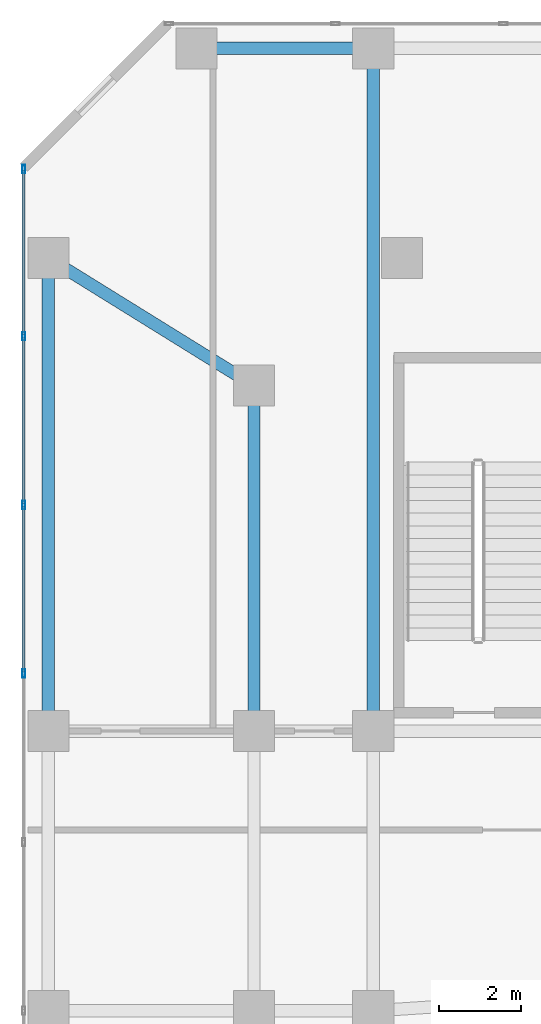
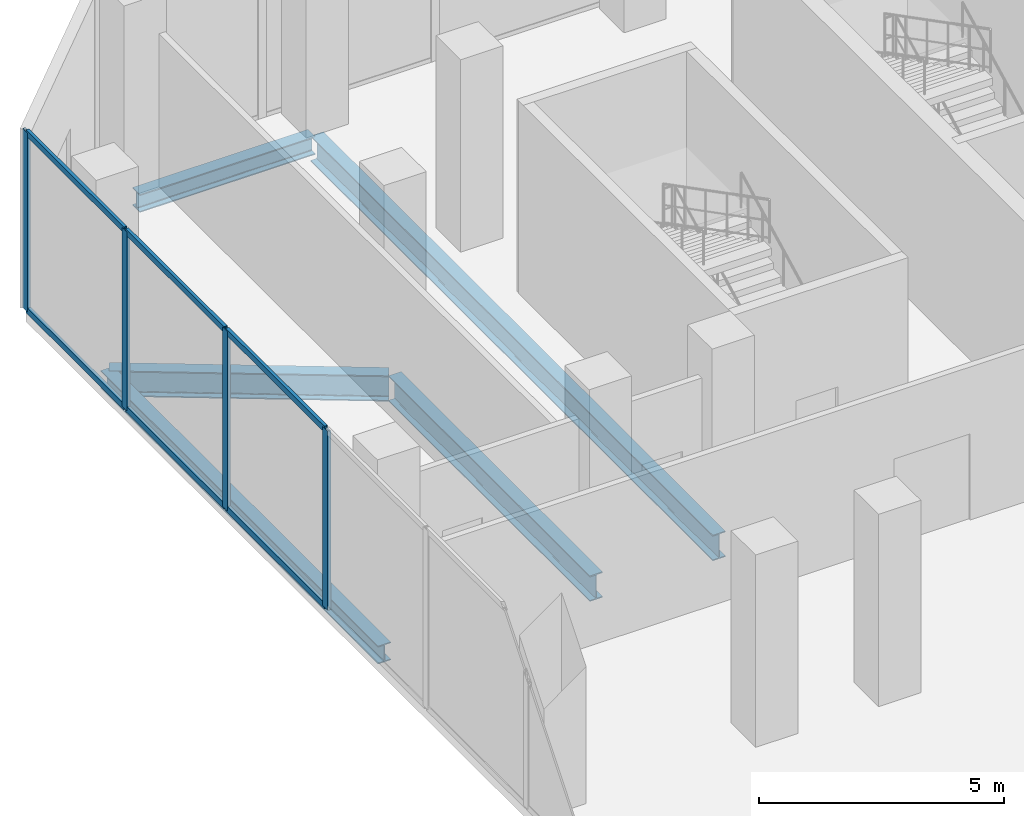
# One storey, part 12 of 24: 10 members, 5 beams, 1 element without a shape of its own.
"""IFC4 building model written with IfcOpenShell, lengths in metres."""

from ifc_helpers import new_model, si_unit, direction, frame, origin, origin_2d, place, context, subcontext, project, spatial, hollow_rectangle, i_section, extrude, material, layer, layer_set, material_profile, profile_set, type_object, element, aggregate, save


model = new_model("IFC4")

# Units and contexts
model_context = context("Model", 3, precision=1e-05, world=origin(), true_north=direction((0.0, 1.0)))
body_context = subcontext(model_context, "Body", "Model", "MODEL_VIEW")
ifc_project = project(units=[si_unit("LENGTHUNIT", "METRE"), si_unit("AREAUNIT", "SQUARE_METRE"), si_unit("VOLUMEUNIT", "CUBIC_METRE"), si_unit("PLANEANGLEUNIT", "RADIAN"), si_unit("MASSUNIT", "GRAM", prefix="KILO")], contexts=[model_context])

# Site, building, storey
site_placement = place(None, origin())
site = spatial("IfcSite", under=ifc_project, at=site_placement, CompositionType="ELEMENT")
building_placement = place(site_placement, origin())
building = spatial("IfcBuilding", under=site, at=building_placement, Name="Catumbela Crestline Tower", CompositionType="ELEMENT")
storey_placement = place(building_placement, frame((0.0, 0.0, 11.1)))
storey = spatial("IfcBuildingStorey", under=building, at=storey_placement, Name="L02", CompositionType="ELEMENT", Elevation=11.1)

# Beams
ifc_material_1 = material(Name="Structural steel S355J2", Category="steel")
ifc_material_profile_1 = material_profile(ifc_material_1, i_section(OverallWidth=0.3, OverallDepth=0.64, WebThickness=0.0135, FlangeThickness=0.026, FilletRadius=0.027, at=origin_2d()), Name="HEA 650")
ifc_profile_set_1 = profile_set([ifc_material_profile_1], Name="Structural steel S355J2")
beam_type_1 = type_object("IfcBeamType", Name="BG-HEA650", PredefinedType="BEAM", material=ifc_profile_set_1)
beam_1_placement = place(storey_placement, frame((0.668, 42.2578, -0.64), z_axis=(0.849908952007, -0.526929571479, 0.0), x_axis=(0.526929571479, 0.849908952007, 0.0)))
element("IfcBeam", 1, at=beam_1_placement, inside=storey, type_object=beam_type_1, Name="L02 Beam BM-L02-N11", PredefinedType="BEAM", context=body_context, shape_type="SweptSolid", body=[
    extrude(i_section(OverallWidth=0.3, OverallDepth=0.64, WebThickness=0.0135, FlangeThickness=0.026, FilletRadius=0.027, at=origin_2d()), origin(), (0.0, 0.0, 1.0), 5.723),
])
beam_2_placement = place(storey_placement, frame((5.6, 30.88, -0.64), z_axis=(0.0, 1.0, 0.0), x_axis=(-1.0, 0.0, 0.0)))
element("IfcBeam", 2, at=beam_2_placement, inside=storey, type_object=beam_type_1, Name="L02 Beam BM-L02-SN26", PredefinedType="BEAM", context=body_context, shape_type="SweptSolid", body=[
    extrude(i_section(OverallWidth=0.3, OverallDepth=0.64, WebThickness=0.0135, FlangeThickness=0.026, FilletRadius=0.027, at=origin_2d()), origin(), (0.0, 0.0, 1.0), 8.24),
])
beam_3_placement = place(storey_placement, frame((8.5, 30.88, -0.64), z_axis=(0.0, 1.0, 0.0), x_axis=(-1.0, 0.0, 0.0)))
element("IfcBeam", 3, at=beam_3_placement, inside=storey, type_object=beam_type_1, Name="L02 Beam BM-L02-SN28", PredefinedType="BEAM", context=body_context, shape_type="SweptSolid", body=[
    extrude(i_section(OverallWidth=0.3, OverallDepth=0.64, WebThickness=0.0135, FlangeThickness=0.026, FilletRadius=0.027, at=origin_2d()), origin(), (0.0, 0.0, 1.0), 16.44),
])

# Curtain wall, members
ifc_material_2 = material(Name="Aluminium alloy AW-6060-T66", Category="aluminium")
ifc_layer = layer(ifc_material_2, 0.18, Name="Aluminium alloy AW-6060-T66")
ifc_layer_set = layer_set([ifc_layer], Name="Aluminium alloy AW-6060-T66")
curtain_wall_type = type_object("IfcCurtainWallType", Name="CWS-POD", PredefinedType="USERDEFINED", material=ifc_layer_set)
curtain_wall_placement = place(storey_placement, origin())
curtain_wall = element("IfcCurtainWall", 4, at=curtain_wall_placement, inside=storey, type_object=curtain_wall_type, Name="L02 Stick Curtain Wall CW-L02-E9S1", ObjectType="STICK", PredefinedType="USERDEFINED")
ifc_material_profile_2 = material_profile(ifc_material_2, hollow_rectangle(XDim=0.075, YDim=0.2, WallThickness=0.005, at=origin_2d()), Name="ALU 200x75x5")
ifc_profile_set_2 = profile_set([ifc_material_profile_2], Name="Aluminium alloy AW-6060-T66")
member_type_1 = type_object("IfcMemberType", Name="MUL-200X75", PredefinedType="MULLION", material=ifc_profile_set_2)
member_1_placement = place(storey_placement, frame((0.0, 44.4675, 0.0), z_axis=(0.0, 0.0, 1.0), x_axis=(1.0, 0.0, 0.0)))
member_1 = element("IfcMember", 5, at=member_1_placement, type_object=member_type_1, Name="CWS-POD mullion 1", PredefinedType="MULLION", context=body_context, shape_type="SweptSolid", body=[
    extrude(hollow_rectangle(XDim=0.075, YDim=0.2, WallThickness=0.005, at=origin_2d()), origin(), (0.0, 0.0, 1.0), 4.47),
])
member_2_placement = place(storey_placement, frame((0.0, 40.4, 0.0), z_axis=(0.0, 0.0, 1.0), x_axis=(1.0, 0.0, 0.0)))
member_2 = element("IfcMember", 6, at=member_2_placement, type_object=member_type_1, Name="CWS-POD mullion 2", PredefinedType="MULLION", context=body_context, shape_type="SweptSolid", body=[
    extrude(hollow_rectangle(XDim=0.075, YDim=0.2, WallThickness=0.005, at=origin_2d()), origin(), (0.0, 0.0, 1.0), 4.47),
])
member_3_placement = place(storey_placement, frame((0.0, 36.3, 0.0), z_axis=(0.0, 0.0, 1.0), x_axis=(1.0, 0.0, 0.0)))
member_3 = element("IfcMember", 7, at=member_3_placement, type_object=member_type_1, Name="CWS-POD mullion 3", PredefinedType="MULLION", context=body_context, shape_type="SweptSolid", body=[
    extrude(hollow_rectangle(XDim=0.075, YDim=0.2, WallThickness=0.005, at=origin_2d()), origin(), (0.0, 0.0, 1.0), 4.47),
])
member_4_placement = place(storey_placement, frame((0.0, 32.2, 0.0), z_axis=(0.0, 0.0, 1.0), x_axis=(1.0, 0.0, 0.0)))
member_4 = element("IfcMember", 8, at=member_4_placement, type_object=member_type_1, Name="CWS-POD mullion 4", PredefinedType="MULLION", context=body_context, shape_type="SweptSolid", body=[
    extrude(hollow_rectangle(XDim=0.075, YDim=0.2, WallThickness=0.005, at=origin_2d()), origin(), (0.0, 0.0, 1.0), 4.47),
])

# Beams
ifc_material_profile_3 = material_profile(ifc_material_1, i_section(OverallWidth=0.3, OverallDepth=0.45, WebThickness=0.014, FlangeThickness=0.026, FilletRadius=0.027, at=origin_2d()), Name="HEB 450")
ifc_profile_set_3 = profile_set([ifc_material_profile_3], Name="Structural steel S355J2")
beam_type_2 = type_object("IfcBeamType", Name="BS-HEB450", PredefinedType="SPANDREL", material=ifc_profile_set_3)
beam_4_placement = place(storey_placement, frame((4.28, 47.4, -0.545), z_axis=(1.0, 0.0, 0.0), x_axis=(0.0, 1.0, 0.0)))
element("IfcBeam", 9, at=beam_4_placement, inside=storey, type_object=beam_type_2, Name="L02 Spandrel SP-L02-NF17", PredefinedType="SPANDREL", context=body_context, shape_type="SweptSolid", body=[
    extrude(i_section(OverallWidth=0.3, OverallDepth=0.45, WebThickness=0.014, FlangeThickness=0.026, FilletRadius=0.027, at=origin_2d()), origin(), (0.0, 0.0, 1.0), 4.14),
])
beam_5_placement = place(storey_placement, frame((0.6, 30.88, -0.545), z_axis=(0.0, 1.0, 0.0), x_axis=(-1.0, 0.0, 0.0)))
element("IfcBeam", 10, at=beam_5_placement, inside=storey, type_object=beam_type_2, Name="L02 Spandrel SP-L02-SN24", PredefinedType="SPANDREL", context=body_context, shape_type="SweptSolid", body=[
    extrude(i_section(OverallWidth=0.3, OverallDepth=0.45, WebThickness=0.014, FlangeThickness=0.026, FilletRadius=0.027, at=origin_2d()), origin(), (0.0, 0.0, 1.0), 11.34),
])

# Member
ifc_material_profile_4 = material_profile(ifc_material_2, hollow_rectangle(XDim=0.075, YDim=0.15, WallThickness=0.0045, at=origin_2d()), Name="ALU 150x75x4.5")
ifc_profile_set_4 = profile_set([ifc_material_profile_4], Name="Aluminium alloy AW-6060-T66")
member_type_2 = type_object("IfcMemberType", Name="TRN-150X75", PredefinedType="USERDEFINED", material=ifc_profile_set_4)
member_5_placement = place(storey_placement, frame((0.0, 44.435, 0.03), z_axis=(0.0, -1.0, 0.0), x_axis=(1.0, 0.0, 0.0)))
member_5 = element("IfcMember", 11, at=member_5_placement, type_object=member_type_2, Name="CWS-POD transom 1.1", ObjectType="TRANSOM", PredefinedType="USERDEFINED", context=body_context, shape_type="SweptSolid", body=[
    extrude(hollow_rectangle(XDim=0.075, YDim=0.15, WallThickness=0.0045, at=origin_2d()), origin(), (0.0, 0.0, 1.0), 4.0025),
])

member_6_placement = place(storey_placement, frame((0.0, 44.435, 4.44), z_axis=(0.0, -1.0, 0.0), x_axis=(1.0, 0.0, 0.0)))
member_6 = element("IfcMember", 12, at=member_6_placement, type_object=member_type_2, Name="CWS-POD transom 1.2", ObjectType="TRANSOM", PredefinedType="USERDEFINED", context=body_context, shape_type="SweptSolid", body=[
    extrude(hollow_rectangle(XDim=0.075, YDim=0.15, WallThickness=0.0045, at=origin_2d()), origin(), (0.0, 0.0, 1.0), 4.0025),
])

member_7_placement = place(storey_placement, frame((0.0, 40.3675, 0.03), z_axis=(0.0, -1.0, 0.0), x_axis=(1.0, 0.0, 0.0)))
member_7 = element("IfcMember", 13, at=member_7_placement, type_object=member_type_2, Name="CWS-POD transom 2.1", ObjectType="TRANSOM", PredefinedType="USERDEFINED", context=body_context, shape_type="SweptSolid", body=[
    extrude(hollow_rectangle(XDim=0.075, YDim=0.15, WallThickness=0.0045, at=origin_2d()), origin(), (0.0, 0.0, 1.0), 4.035),
])

member_8_placement = place(storey_placement, frame((0.0, 40.3675, 4.44), z_axis=(0.0, -1.0, 0.0), x_axis=(1.0, 0.0, 0.0)))
member_8 = element("IfcMember", 14, at=member_8_placement, type_object=member_type_2, Name="CWS-POD transom 2.2", ObjectType="TRANSOM", PredefinedType="USERDEFINED", context=body_context, shape_type="SweptSolid", body=[
    extrude(hollow_rectangle(XDim=0.075, YDim=0.15, WallThickness=0.0045, at=origin_2d()), origin(), (0.0, 0.0, 1.0), 4.035),
])

member_9_placement = place(storey_placement, frame((0.0, 36.2675, 0.03), z_axis=(0.0, -1.0, 0.0), x_axis=(1.0, 0.0, 0.0)))
member_9 = element("IfcMember", 15, at=member_9_placement, type_object=member_type_2, Name="CWS-POD transom 3.1", ObjectType="TRANSOM", PredefinedType="USERDEFINED", context=body_context, shape_type="SweptSolid", body=[
    extrude(hollow_rectangle(XDim=0.075, YDim=0.15, WallThickness=0.0045, at=origin_2d()), origin(), (0.0, 0.0, 1.0), 4.035),
])

member_10_placement = place(storey_placement, frame((0.0, 36.2675, 4.44), z_axis=(0.0, -1.0, 0.0), x_axis=(1.0, 0.0, 0.0)))
member_10 = element("IfcMember", 16, at=member_10_placement, type_object=member_type_2, Name="CWS-POD transom 3.2", ObjectType="TRANSOM", PredefinedType="USERDEFINED", context=body_context, shape_type="SweptSolid", body=[
    extrude(hollow_rectangle(XDim=0.075, YDim=0.15, WallThickness=0.0045, at=origin_2d()), origin(), (0.0, 0.0, 1.0), 4.035),
])

aggregate(curtain_wall, [member_1, member_2, member_3, member_4, member_5, member_6, member_7, member_8, member_9, member_10])

save(model, "model.ifc")
